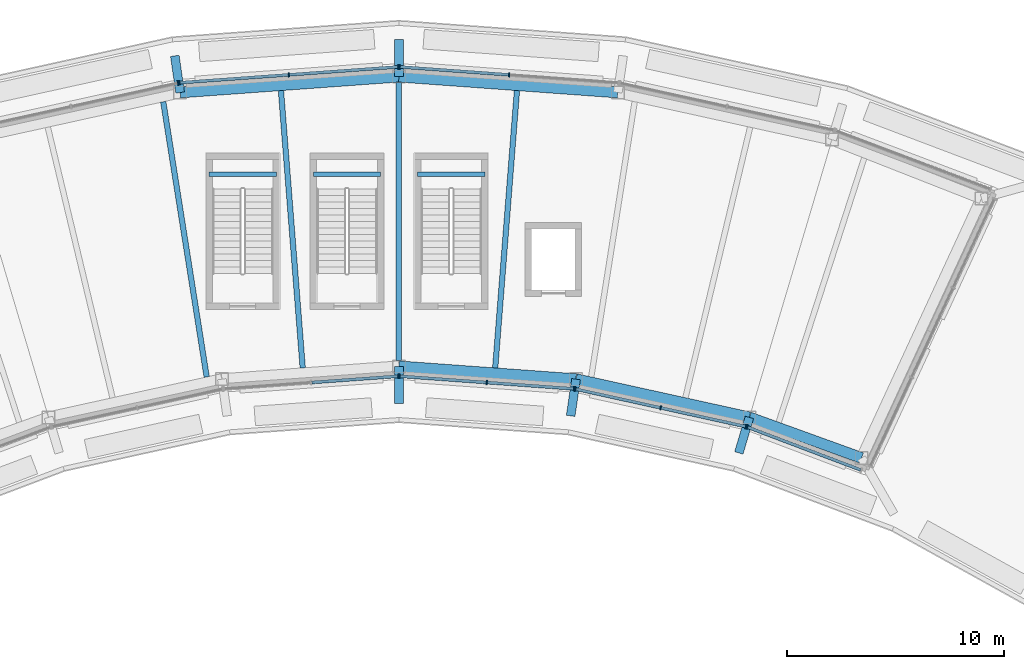
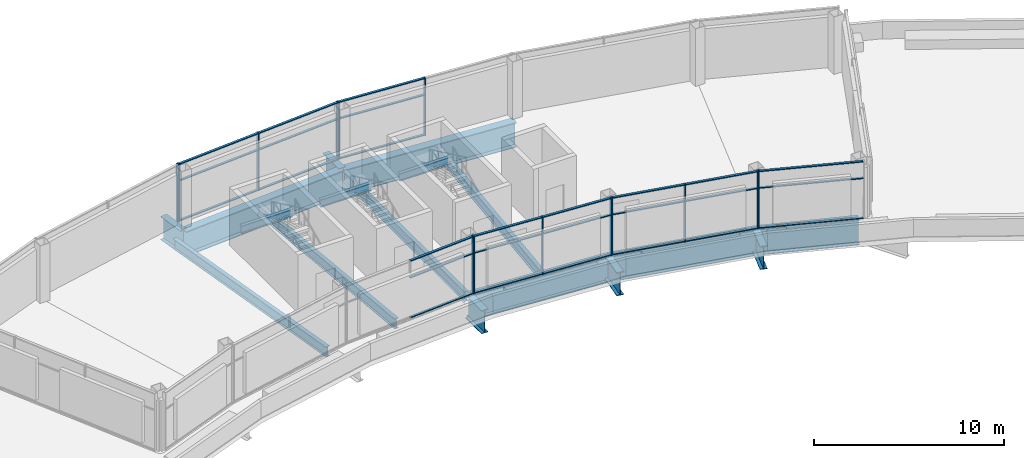
# One storey, part 3 of 9: 41 members, 17 beams, 7 elements without a shape of their own.
"""IFC4 building model written with IfcOpenShell, lengths in metres."""

import ifcopenshell
import ifcopenshell.guid

model = None  # the IFC model being written
_history = None  # IfcOwnerHistory: only IFC2X3 demands one
_inside = {}  # id of a spatial element -> (the spatial element, [elements in it])
_under = {}  # id of a project, library or spatial element -> (it, [spatial elements below it])
_declared = {}  # id of a project -> (the project, [libraries it declares])
_typed = {}  # id of a type object -> (the type object, [elements of that type])
_made_of = {}  # id of a material, layer set ... -> (it, [elements and type objects made of it])


def new_model(schema):
    """Start an empty IFC model of exactly this schema.

    Asked for "IFC4X3", IfcOpenShell would pick the latest addendum, in which some entities
    have other attributes; the version numbers below select the first issue.
    IFC2X3 requires an IfcOwnerHistory on every rooted entity: one is made here for all.
    """
    global model, _history
    if schema == "IFC4X3":
        model = ifcopenshell.file(schema_version=(4, 3, 0, 0))
    else:
        model = ifcopenshell.file(schema=schema)
    _inside.clear()
    _under.clear()
    _declared.clear()
    _typed.clear()
    _made_of.clear()
    _history = None
    if model.schema == "IFC2X3":
        org = make("IfcOrganization", Name="unknown")
        user = make(
            "IfcPersonAndOrganization",
            ThePerson=make("IfcPerson", FamilyName="unknown"),
            TheOrganization=org,
        )
        app = make(
            "IfcApplication",
            ApplicationDeveloper=org,
            Version="unknown",
            ApplicationFullName="unknown",
            ApplicationIdentifier="unknown",
        )
        _history = make(
            "IfcOwnerHistory",
            OwningUser=user,
            OwningApplication=app,
            ChangeAction="ADDED",
            CreationDate=0,
        )
    return model


def make(cls, **values):
    """One entity of the class cls with the attributes given. An attribute that is None is left unset."""
    return model.create_entity(
        cls, **{name: value for name, value in values.items() if value is not None}
    )


def rooted(cls, **values):
    """An entity with a GlobalId (a new one), such as an element, a storey or a relation."""
    return make(cls, GlobalId=ifcopenshell.guid.new(), OwnerHistory=_history, **values)


def si_unit(unit_type, name, prefix=None):
    """IfcSIUnit, for example si_unit("LENGTHUNIT", "METRE", prefix="MILLI")."""
    return make("IfcSIUnit", UnitType=unit_type, Prefix=prefix, Name=name)


def assignment(units):
    """IfcUnitAssignment: the units of a project."""
    return None if units is None else make("IfcUnitAssignment", Units=units)


def point(xyz):
    """IfcCartesianPoint."""
    return None if xyz is None else make("IfcCartesianPoint", Coordinates=xyz)


def direction(xyz):
    """IfcDirection."""
    return None if xyz is None else make("IfcDirection", DirectionRatios=xyz)


def frame(location, z_axis=None, x_axis=None):
    """IfcAxis2Placement3D, a coordinate frame: its origin and axes. An axis left out is left unset."""
    return make(
        "IfcAxis2Placement3D",
        Location=point(location),
        Axis=direction(z_axis),
        RefDirection=direction(x_axis),
    )


def frame_2d(location, x_axis=None):
    """IfcAxis2Placement2D, a coordinate frame in the plane: its origin and x axis."""
    return make(
        "IfcAxis2Placement2D", Location=point(location), RefDirection=direction(x_axis)
    )


def origin():
    """The frame at (0, 0, 0) with its axes left unset."""
    return frame((0.0, 0.0, 0.0))


def origin_2d():
    """The frame at (0, 0) in the plane with its x axis left unset."""
    return frame_2d((0.0, 0.0))


def place(relative_to, where):
    """IfcLocalPlacement: puts the frame where relative to a parent placement (None: the world)."""
    return make(
        "IfcLocalPlacement", PlacementRelTo=relative_to, RelativePlacement=where
    )


def context(
    kind, dimensions, precision=None, world=None, true_north=None, identifier=None
):
    """IfcGeometricRepresentationContext, for example the 3D "Model" context."""
    return make(
        "IfcGeometricRepresentationContext",
        ContextIdentifier=identifier,
        ContextType=kind,
        CoordinateSpaceDimension=dimensions,
        Precision=precision,
        WorldCoordinateSystem=world,
        TrueNorth=true_north,
    )


def subcontext(parent, identifier, kind, view, scale=None):
    """IfcGeometricRepresentationSubContext, for example "Body" below "Model"."""
    return make(
        "IfcGeometricRepresentationSubContext",
        ContextIdentifier=identifier,
        ContextType=kind,
        ParentContext=parent,
        TargetScale=scale,
        TargetView=view,
    )


def project(units=None, contexts=None):
    """IfcProject with its units and contexts."""
    return rooted(
        "IfcProject",
        Name="project",
        RepresentationContexts=contexts,
        UnitsInContext=assignment(units),
    )


def spatial(cls, under=None, at=None, **own):
    """A site, building, storey or space (cls), placed at a placement, below another one or the project."""
    s = rooted(cls, ObjectPlacement=at, **own)
    if under is not None:
        _under.setdefault(under.id(), (under, []))[1].append(s)
    return s


def profile(cls, at=None, kind="AREA", **sizes):
    """A parametric profile (cls). Its sizes go by their IFC names, for example OverallWidth=200.0."""
    return make(cls, ProfileType=kind, Position=at, **sizes)


def rectangle(**sizes):
    """IfcRectangleProfileDef."""
    return profile("IfcRectangleProfileDef", **sizes)


def i_section(**sizes):
    """IfcIShapeProfileDef."""
    return profile("IfcIShapeProfileDef", **sizes)


def extrude(swept, where, along, depth):
    """IfcExtrudedAreaSolid: the profile swept, set in the frame where, extruded along a direction by depth."""
    return make(
        "IfcExtrudedAreaSolid",
        SweptArea=swept,
        Position=where,
        ExtrudedDirection=direction(along),
        Depth=depth,
    )


def shape(context_of_items, identifier, shape_type, items):
    """IfcShapeRepresentation: the items that make up one representation, for example the "Body"."""
    return make(
        "IfcShapeRepresentation",
        ContextOfItems=context_of_items,
        RepresentationIdentifier=identifier,
        RepresentationType=shape_type,
        Items=items,
    )


def material(Name=None, Category=None):
    """IfcMaterial."""
    return make("IfcMaterial", Name=Name, Category=Category)


def layer(
    of_material, thickness, ventilated=None, Name=None, Category=None, Priority=None
):
    """IfcMaterialLayer: one layer of a wall or slab, of a material (None: an air gap)."""
    return make(
        "IfcMaterialLayer",
        Material=of_material,
        LayerThickness=thickness,
        IsVentilated=ventilated,
        Name=Name,
        Category=Category,
        Priority=Priority,
    )


def layer_set(layers, Name=None):
    """IfcMaterialLayerSet."""
    return make("IfcMaterialLayerSet", MaterialLayers=layers, LayerSetName=Name)


def material_profile(
    of_material, cross_section, Name=None, Category=None, Priority=None
):
    """IfcMaterialProfile: a cross section and its material."""
    return make(
        "IfcMaterialProfile",
        Name=Name,
        Material=of_material,
        Profile=cross_section,
        Priority=Priority,
        Category=Category,
    )


def profile_set(profiles, Name=None, composite=None):
    """IfcMaterialProfileSet."""
    return make(
        "IfcMaterialProfileSet",
        Name=Name,
        MaterialProfiles=profiles,
        CompositeProfile=composite,
    )


def made_of(thing, what):
    """Note that an element or type object is made of a material, layer set ...; save() writes the relation."""
    if what is not None:
        _made_of.setdefault(what.id(), (what, []))[1].append(thing)
    return thing


def type_object(cls, material=None, **own):
    """A type object (cls), such as IfcWallType, which elements share."""
    return made_of(rooted(cls, **own), material)


def element(
    cls,
    number,
    at=None,
    inside=None,
    cuts=None,
    type_object=None,
    material=None,
    context=None,
    identifier="Body",
    shape_type=None,
    held_by="IfcProductDefinitionShape",
    body=None,
    shapes=None,
    **own,
):
    """One element of the class cls, such as IfcWall. Its Tag is "e" and its number.

    at: its placement. inside: the storey or other place that contains it. cuts: it is an
    opening in that element (IfcRelVoidsElement). A single representation is given by context,
    identifier, shape_type and body (its items); several are given by shapes. held_by: the class
    of the entity that holds the representations. save() writes the other relations.
    """
    e = rooted(cls, Tag="e%d" % number, ObjectPlacement=at, **own)
    if body is not None:
        shapes = [shape(context, identifier, shape_type, body)]
    if shapes is not None:
        e.Representation = make(held_by, Representations=shapes)
    if inside is not None:
        _inside.setdefault(inside.id(), (inside, []))[1].append(e)
    if cuts is not None:
        rooted(
            "IfcRelVoidsElement", RelatingBuildingElement=cuts, RelatedOpeningElement=e
        )
    if type_object is not None:
        _typed.setdefault(type_object.id(), (type_object, []))[1].append(e)
    return made_of(e, material)


def aggregate(whole, parts):
    """IfcRelAggregates: a whole, such as a stair, and the parts it consists of."""
    return rooted("IfcRelAggregates", RelatingObject=whole, RelatedObjects=parts)


def save(model, path):
    """Write the relations noted so far, then the file.

    IfcRelAggregates (storeys below a building ...), IfcRelContainedInSpatialStructure (elements
    in a storey), IfcRelDefinesByType, IfcRelAssociatesMaterial and IfcRelDeclares: one each for
    every whole, place, type object, material and project.
    """
    for whole, parts in _under.values():
        aggregate(whole, parts)
    for where, things in _inside.values():
        rooted(
            "IfcRelContainedInSpatialStructure",
            RelatedElements=things,
            RelatingStructure=where,
        )
    for kind, things in _typed.values():
        rooted("IfcRelDefinesByType", RelatedObjects=things, RelatingType=kind)
    for what, things in _made_of.values():
        rooted("IfcRelAssociatesMaterial", RelatedObjects=things, RelatingMaterial=what)
    for by, libraries in _declared.values():
        rooted("IfcRelDeclares", RelatingContext=by, RelatedDefinitions=libraries)
    model.write(path)


model = new_model("IFC4")

# Units and contexts
model_context = context("Model", 3, precision=1e-05, world=origin(), true_north=direction((0.0, 1.0)))
body_context = subcontext(model_context, "Body", "Model", "MODEL_VIEW")
ifc_project = project(units=[si_unit("LENGTHUNIT", "METRE"), si_unit("AREAUNIT", "SQUARE_METRE"), si_unit("VOLUMEUNIT", "CUBIC_METRE"), si_unit("PLANEANGLEUNIT", "RADIAN"), si_unit("MASSUNIT", "GRAM", prefix="KILO")], contexts=[model_context])

# Site, building, storey
site_placement = place(None, origin())
site = spatial("IfcSite", under=ifc_project, at=site_placement, CompositionType="ELEMENT")
building_placement = place(site_placement, origin())
building = spatial("IfcBuilding", under=site, at=building_placement, Name="Tuul Gate Civic Tower", CompositionType="ELEMENT")
storey_placement = place(building_placement, frame((0.0, 0.0, 368.10009765625)))
storey = spatial("IfcBuildingStorey", under=building, at=storey_placement, Name="Crown tier 2 lower", CompositionType="ELEMENT", Elevation=368.10009765625)

# Curtain wall, members
ifc_material_1 = material(Name="Aluminium", Category="aluminium")
ifc_layer = layer(ifc_material_1, 0.199951171875)
ifc_layer_set = layer_set([ifc_layer], Name="Aluminium")
curtain_wall_type = type_object("IfcCurtainWallType", Name="Curtain wall CW5", PredefinedType="NOTDEFINED", material=ifc_layer_set)
curtain_wall_1_placement = place(storey_placement, origin())
curtain_wall_1 = element("IfcCurtainWall", 1, at=curtain_wall_1_placement, inside=storey, type_object=curtain_wall_type, Name="Curtain wall CW5", PredefinedType="NOTDEFINED")
ifc_material_2 = material(Name="Aluminium", Category="aluminium")
ifc_material_profile_1 = material_profile(ifc_material_2, rectangle(XDim=0.199951171875, YDim=0.06005859375, at=origin_2d()), Name="CW5 mullion")
ifc_profile_set_1 = profile_set([ifc_material_profile_1], Name="Aluminium")
member_type_1 = type_object("IfcMemberType", Name="CW5 mullion", PredefinedType="MULLION", material=ifc_profile_set_1)
member_1_placement = place(storey_placement, frame((7.260498046875, 9.90087890625, 0.0), z_axis=(0.0, 0.0, 1.0), x_axis=(-0.072218938697, -0.997388803273, 0.0)))
member_1 = element("IfcMember", 2, at=member_1_placement, type_object=member_type_1, Name="Mullion", PredefinedType="MULLION", context=body_context, shape_type="SweptSolid", body=[
    extrude(rectangle(XDim=0.199951171875, YDim=0.06005859375, at=origin_2d()), origin(), (0.0, 0.0, 1.0), 3.699951171875),
])
member_2_placement = place(storey_placement, frame((2.221923828125, 10.265869140625, 0.0), z_axis=(0.0, 0.0, 1.0), x_axis=(-0.072218938697, -0.997388803273, 0.0)))
member_2 = element("IfcMember", 3, at=member_2_placement, type_object=member_type_1, Name="Mullion", PredefinedType="MULLION", context=body_context, shape_type="SweptSolid", body=[
    extrude(rectangle(XDim=0.199951171875, YDim=0.06005859375, at=origin_2d()), origin(), (0.0, 0.0, 1.0), 3.699951171875),
])

curtain_wall_2_placement = place(storey_placement, origin())
curtain_wall_2 = element("IfcCurtainWall", 4, at=curtain_wall_2_placement, inside=storey, type_object=curtain_wall_type, Name="Curtain wall CW5", PredefinedType="NOTDEFINED")
member_3_placement = place(storey_placement, frame((2.162109375, 10.265869140625, 0.0), z_axis=(0.0, 0.0, 1.0), x_axis=(0.072218938697, -0.997388803273, 0.0)))
member_3 = element("IfcMember", 5, at=member_3_placement, type_object=member_type_1, Name="Mullion", PredefinedType="MULLION", context=body_context, shape_type="SweptSolid", body=[
    extrude(rectangle(XDim=0.199951171875, YDim=0.06005859375, at=origin_2d()), origin(), (0.0, 0.0, 1.0), 3.699951171875),
])
member_4_placement = place(storey_placement, frame((-2.87646484375, 9.90087890625, 0.0), z_axis=(0.0, 0.0, 1.0), x_axis=(0.072218938697, -0.997388803273, 0.0)))
member_4 = element("IfcMember", 6, at=member_4_placement, type_object=member_type_1, Name="Mullion", PredefinedType="MULLION", context=body_context, shape_type="SweptSolid", body=[
    extrude(rectangle(XDim=0.199951171875, YDim=0.06005859375, at=origin_2d()), origin(), (0.0, 0.0, 1.0), 3.699951171875),
])
member_5_placement = place(storey_placement, frame((-7.9150390625, 9.5361328125, 0.0), z_axis=(0.0, 0.0, 1.0), x_axis=(0.072218938697, -0.997388803273, 0.0)))
member_5 = element("IfcMember", 7, at=member_5_placement, type_object=member_type_1, Name="Mullion", PredefinedType="MULLION", context=body_context, shape_type="SweptSolid", body=[
    extrude(rectangle(XDim=0.199951171875, YDim=0.06005859375, at=origin_2d()), origin(), (0.0, 0.0, 1.0), 3.699951171875),
])

# Curtain wall, member
curtain_wall_3_placement = place(storey_placement, origin())
curtain_wall_3 = element("IfcCurtainWall", 8, at=curtain_wall_3_placement, inside=storey, type_object=curtain_wall_type, Name="Curtain wall CW5", PredefinedType="NOTDEFINED")
member_6_placement = place(storey_placement, frame((-7.974365234375, 9.527587890625, 0.0), z_axis=(0.0, 0.0, 1.0), x_axis=(0.215210934562, -0.976567587853, 0.0)))
member_6 = element("IfcMember", 9, at=member_6_placement, type_object=member_type_1, Name="Mullion", PredefinedType="MULLION", context=body_context, shape_type="SweptSolid", body=[
    extrude(rectangle(XDim=0.199951171875, YDim=0.06005859375, at=origin_2d()), origin(), (0.0, 0.0, 1.0), 3.699951171875),
])
aggregate(curtain_wall_3, [member_6])

curtain_wall_4_placement = place(storey_placement, origin())
curtain_wall_4 = element("IfcCurtainWall", 10, at=curtain_wall_4_placement, inside=storey, type_object=curtain_wall_type, Name="Curtain wall CW5", PredefinedType="NOTDEFINED")
member_7_placement = place(storey_placement, frame((2.162109375, -3.97119140625, 0.0), z_axis=(0.0, 0.0, 1.0), x_axis=(-0.072167548057, 0.997392523036, 0.0)))
member_7 = element("IfcMember", 11, at=member_7_placement, type_object=member_type_1, Name="Mullion", PredefinedType="MULLION", context=body_context, shape_type="SweptSolid", body=[
    extrude(rectangle(XDim=0.199951171875, YDim=0.06005859375, at=origin_2d()), origin(), (0.0, 0.0, 1.0), 3.699951171875),
])

# Curtain wall, members
curtain_wall_5_placement = place(storey_placement, origin())
curtain_wall_5 = element("IfcCurtainWall", 12, at=curtain_wall_5_placement, inside=storey, type_object=curtain_wall_type, Name="Curtain wall CW5", PredefinedType="NOTDEFINED")
member_8_placement = place(storey_placement, frame((2.221923828125, -3.97119140625, 0.0), z_axis=(0.0, 0.0, 1.0), x_axis=(0.072167548057, 0.997392523036, 0.0)))
member_8 = element("IfcMember", 13, at=member_8_placement, type_object=member_type_1, Name="Mullion", PredefinedType="MULLION", context=body_context, shape_type="SweptSolid", body=[
    extrude(rectangle(XDim=0.199951171875, YDim=0.06005859375, at=origin_2d()), origin(), (0.0, 0.0, 1.0), 3.699951171875),
])
member_9_placement = place(storey_placement, frame((6.234619140625, -4.261474609375, 0.0), z_axis=(0.0, 0.0, 1.0), x_axis=(0.072167548057, 0.997392523036, 0.0)))
member_9 = element("IfcMember", 14, at=member_9_placement, type_object=member_type_1, Name="Mullion", PredefinedType="MULLION", context=body_context, shape_type="SweptSolid", body=[
    extrude(rectangle(XDim=0.199951171875, YDim=0.06005859375, at=origin_2d()), origin(), (0.0, 0.0, 1.0), 3.699951171875),
])
member_10_placement = place(storey_placement, frame((10.2470703125, -4.5517578125, 0.0), z_axis=(0.0, 0.0, 1.0), x_axis=(0.072167548057, 0.997392523036, 0.0)))
member_10 = element("IfcMember", 15, at=member_10_placement, type_object=member_type_1, Name="Mullion", PredefinedType="MULLION", context=body_context, shape_type="SweptSolid", body=[
    extrude(rectangle(XDim=0.199951171875, YDim=0.06005859375, at=origin_2d()), origin(), (0.0, 0.0, 1.0), 3.699951171875),
])

curtain_wall_6_placement = place(storey_placement, origin())
curtain_wall_6 = element("IfcCurtainWall", 16, at=curtain_wall_6_placement, inside=storey, type_object=curtain_wall_type, Name="Curtain wall CW5", PredefinedType="NOTDEFINED")
member_11_placement = place(storey_placement, frame((10.306396484375, -4.560546875, 0.0), z_axis=(0.0, 0.0, 1.0), x_axis=(0.215271253351, 0.976554293156, 0.0)))
member_11 = element("IfcMember", 17, at=member_11_placement, type_object=member_type_1, Name="Mullion", PredefinedType="MULLION", context=body_context, shape_type="SweptSolid", body=[
    extrude(rectangle(XDim=0.199951171875, YDim=0.06005859375, at=origin_2d()), origin(), (0.0, 0.0, 1.0), 3.699951171875),
])
member_12_placement = place(storey_placement, frame((14.235107421875, -5.426513671875, 0.0), z_axis=(0.0, 0.0, 1.0), x_axis=(0.215271253351, 0.976554293156, 0.0)))
member_12 = element("IfcMember", 18, at=member_12_placement, type_object=member_type_1, Name="Mullion", PredefinedType="MULLION", context=body_context, shape_type="SweptSolid", body=[
    extrude(rectangle(XDim=0.199951171875, YDim=0.06005859375, at=origin_2d()), origin(), (0.0, 0.0, 1.0), 3.699951171875),
])
member_13_placement = place(storey_placement, frame((18.163818359375, -6.29248046875, 0.0), z_axis=(0.0, 0.0, 1.0), x_axis=(0.215271253351, 0.976554293156, 0.0)))
member_13 = element("IfcMember", 19, at=member_13_placement, type_object=member_type_1, Name="Mullion", PredefinedType="MULLION", context=body_context, shape_type="SweptSolid", body=[
    extrude(rectangle(XDim=0.199951171875, YDim=0.06005859375, at=origin_2d()), origin(), (0.0, 0.0, 1.0), 3.699951171875),
])

# Curtain wall, member
curtain_wall_7_placement = place(storey_placement, origin())
curtain_wall_7 = element("IfcCurtainWall", 20, at=curtain_wall_7_placement, inside=storey, type_object=curtain_wall_type, Name="Curtain wall CW5", PredefinedType="NOTDEFINED")
member_14_placement = place(storey_placement, frame((18.220947265625, -6.3095703125, 0.0), z_axis=(0.0, 0.0, 1.0), x_axis=(0.353692000454, 0.935361945353, 0.0)))
member_14 = element("IfcMember", 21, at=member_14_placement, type_object=member_type_1, Name="Mullion", PredefinedType="MULLION", context=body_context, shape_type="SweptSolid", body=[
    extrude(rectangle(XDim=0.199951171875, YDim=0.06005859375, at=origin_2d()), origin(), (0.0, 0.0, 1.0), 3.699951171875),
])

# Member
ifc_material_3 = material(Name="Aluminium", Category="aluminium")
ifc_material_profile_2 = material_profile(ifc_material_3, rectangle(XDim=0.139892578125, YDim=0.06005859375, at=origin_2d()), Name="CW5 transom")
ifc_profile_set_2 = profile_set([ifc_material_profile_2], Name="Aluminium")
member_type_2 = type_object("IfcMemberType", Name="CW5 transom", PredefinedType="USERDEFINED", material=ifc_profile_set_2)
member_15_placement = place(storey_placement, frame((7.23046875, 9.903076171875, 0.02978515625), z_axis=(-0.997387197024, 0.072241118576, 0.0), x_axis=(-0.072241118576, -0.997387197024, 0.0)))
member_15 = element("IfcMember", 22, at=member_15_placement, type_object=member_type_2, Name="Transom", ObjectType="TRANSOM", PredefinedType="USERDEFINED", context=body_context, shape_type="SweptSolid", body=[
    extrude(rectangle(XDim=0.139892578125, YDim=0.06005859375, at=origin_2d()), origin(), (0.0, 0.0, 1.0), 4.991455078125),
])

member_16_placement = place(storey_placement, frame((7.23046875, 9.903076171875, 2.599853515625), z_axis=(-0.997387197024, 0.072241118576, 0.0), x_axis=(-0.072241118576, -0.997387197024, 0.0)))
member_16 = element("IfcMember", 23, at=member_16_placement, type_object=member_type_2, Name="Transom", ObjectType="TRANSOM", PredefinedType="USERDEFINED", context=body_context, shape_type="SweptSolid", body=[
    extrude(rectangle(XDim=0.139892578125, YDim=0.06005859375, at=origin_2d()), origin(), (0.0, 0.0, 1.0), 4.991455078125),
])

member_17_placement = place(storey_placement, frame((7.23046875, 9.903076171875, 3.669921875), z_axis=(-0.997387197024, 0.072241118576, 0.0), x_axis=(-0.072241118576, -0.997387197024, 0.0)))
member_17 = element("IfcMember", 24, at=member_17_placement, type_object=member_type_2, Name="Transom", ObjectType="TRANSOM", PredefinedType="USERDEFINED", context=body_context, shape_type="SweptSolid", body=[
    extrude(rectangle(XDim=0.139892578125, YDim=0.06005859375, at=origin_2d()), origin(), (0.0, 0.0, 1.0), 4.991455078125),
])

aggregate(curtain_wall_1, [member_1, member_2, member_15, member_16, member_17])

member_18_placement = place(storey_placement, frame((2.132080078125, 10.263671875, 0.02978515625), z_axis=(-0.997387452259, -0.072237594615, 0.0), x_axis=(0.072237594615, -0.997387452259, 0.0)))
member_18 = element("IfcMember", 25, at=member_18_placement, type_object=member_type_2, Name="Transom", ObjectType="TRANSOM", PredefinedType="USERDEFINED", context=body_context, shape_type="SweptSolid", body=[
    extrude(rectangle(XDim=0.139892578125, YDim=0.06005859375, at=origin_2d()), origin(), (0.0, 0.0, 1.0), 4.99169921875),
])

member_19_placement = place(storey_placement, frame((2.132080078125, 10.263671875, 2.599853515625), z_axis=(-0.997387452259, -0.072237594615, 0.0), x_axis=(0.072237594615, -0.997387452259, 0.0)))
member_19 = element("IfcMember", 26, at=member_19_placement, type_object=member_type_2, Name="Transom", ObjectType="TRANSOM", PredefinedType="USERDEFINED", context=body_context, shape_type="SweptSolid", body=[
    extrude(rectangle(XDim=0.139892578125, YDim=0.06005859375, at=origin_2d()), origin(), (0.0, 0.0, 1.0), 4.99169921875),
])

member_20_placement = place(storey_placement, frame((2.132080078125, 10.263671875, 3.669921875), z_axis=(-0.997387452259, -0.072237594615, 0.0), x_axis=(0.072237594615, -0.997387452259, 0.0)))
member_20 = element("IfcMember", 27, at=member_20_placement, type_object=member_type_2, Name="Transom", ObjectType="TRANSOM", PredefinedType="USERDEFINED", context=body_context, shape_type="SweptSolid", body=[
    extrude(rectangle(XDim=0.139892578125, YDim=0.06005859375, at=origin_2d()), origin(), (0.0, 0.0, 1.0), 4.99169921875),
])

member_21_placement = place(storey_placement, frame((-2.906494140625, 9.89892578125, 0.02978515625), z_axis=(-0.997387452259, -0.072237594615, 0.0), x_axis=(0.072237594615, -0.997387452259, 0.0)))
member_21 = element("IfcMember", 28, at=member_21_placement, type_object=member_type_2, Name="Transom", ObjectType="TRANSOM", PredefinedType="USERDEFINED", context=body_context, shape_type="SweptSolid", body=[
    extrude(rectangle(XDim=0.139892578125, YDim=0.06005859375, at=origin_2d()), origin(), (0.0, 0.0, 1.0), 4.99169921875),
])

member_22_placement = place(storey_placement, frame((-2.906494140625, 9.89892578125, 2.599853515625), z_axis=(-0.997387452259, -0.072237594615, 0.0), x_axis=(0.072237594615, -0.997387452259, 0.0)))
member_22 = element("IfcMember", 29, at=member_22_placement, type_object=member_type_2, Name="Transom", ObjectType="TRANSOM", PredefinedType="USERDEFINED", context=body_context, shape_type="SweptSolid", body=[
    extrude(rectangle(XDim=0.139892578125, YDim=0.06005859375, at=origin_2d()), origin(), (0.0, 0.0, 1.0), 4.99169921875),
])

member_23_placement = place(storey_placement, frame((-2.906494140625, 9.89892578125, 3.669921875), z_axis=(-0.997387452259, -0.072237594615, 0.0), x_axis=(0.072237594615, -0.997387452259, 0.0)))
member_23 = element("IfcMember", 30, at=member_23_placement, type_object=member_type_2, Name="Transom", ObjectType="TRANSOM", PredefinedType="USERDEFINED", context=body_context, shape_type="SweptSolid", body=[
    extrude(rectangle(XDim=0.139892578125, YDim=0.06005859375, at=origin_2d()), origin(), (0.0, 0.0, 1.0), 4.99169921875),
])

aggregate(curtain_wall_2, [member_3, member_4, member_5, member_18, member_19, member_20, member_21, member_22, member_23])

member_24_placement = place(storey_placement, frame((-1.820556640625, -4.25927734375, 0.02978515625), z_axis=(0.997394505357, 0.072140146126, 0.0), x_axis=(-0.072140146126, 0.997394505357, 0.0)))
member_24 = element("IfcMember", 31, at=member_24_placement, type_object=member_type_2, Name="Transom", ObjectType="TRANSOM", PredefinedType="USERDEFINED", context=body_context, shape_type="SweptSolid", body=[
    extrude(rectangle(XDim=0.139892578125, YDim=0.06005859375, at=origin_2d()), origin(), (0.0, 0.0, 1.0), 3.962890625),
])

member_25_placement = place(storey_placement, frame((-1.820556640625, -4.25927734375, 2.599853515625), z_axis=(0.997394505357, 0.072140146126, 0.0), x_axis=(-0.072140146126, 0.997394505357, 0.0)))
member_25 = element("IfcMember", 32, at=member_25_placement, type_object=member_type_2, Name="Transom", ObjectType="TRANSOM", PredefinedType="USERDEFINED", context=body_context, shape_type="SweptSolid", body=[
    extrude(rectangle(XDim=0.139892578125, YDim=0.06005859375, at=origin_2d()), origin(), (0.0, 0.0, 1.0), 3.962890625),
])

member_26_placement = place(storey_placement, frame((-1.820556640625, -4.25927734375, 3.669921875), z_axis=(0.997394505357, 0.072140146126, 0.0), x_axis=(-0.072140146126, 0.997394505357, 0.0)))
member_26 = element("IfcMember", 33, at=member_26_placement, type_object=member_type_2, Name="Transom", ObjectType="TRANSOM", PredefinedType="USERDEFINED", context=body_context, shape_type="SweptSolid", body=[
    extrude(rectangle(XDim=0.139892578125, YDim=0.06005859375, at=origin_2d()), origin(), (0.0, 0.0, 1.0), 3.962890625),
])

aggregate(curtain_wall_4, [member_7, member_24, member_25, member_26])

member_27_placement = place(storey_placement, frame((2.251953125, -3.973388671875, 0.02978515625), z_axis=(0.997394505357, -0.072140146126, 0.0), x_axis=(0.072140146126, 0.997394505357, 0.0)))
member_27 = element("IfcMember", 34, at=member_27_placement, type_object=member_type_2, Name="Transom", ObjectType="TRANSOM", PredefinedType="USERDEFINED", context=body_context, shape_type="SweptSolid", body=[
    extrude(rectangle(XDim=0.139892578125, YDim=0.06005859375, at=origin_2d()), origin(), (0.0, 0.0, 1.0), 3.962890625),
])

member_28_placement = place(storey_placement, frame((2.251953125, -3.973388671875, 2.599853515625), z_axis=(0.997394505357, -0.072140146126, 0.0), x_axis=(0.072140146126, 0.997394505357, 0.0)))
member_28 = element("IfcMember", 35, at=member_28_placement, type_object=member_type_2, Name="Transom", ObjectType="TRANSOM", PredefinedType="USERDEFINED", context=body_context, shape_type="SweptSolid", body=[
    extrude(rectangle(XDim=0.139892578125, YDim=0.06005859375, at=origin_2d()), origin(), (0.0, 0.0, 1.0), 3.962890625),
])

member_29_placement = place(storey_placement, frame((2.251953125, -3.973388671875, 3.669921875), z_axis=(0.997394505357, -0.072140146126, 0.0), x_axis=(0.072140146126, 0.997394505357, 0.0)))
member_29 = element("IfcMember", 36, at=member_29_placement, type_object=member_type_2, Name="Transom", ObjectType="TRANSOM", PredefinedType="USERDEFINED", context=body_context, shape_type="SweptSolid", body=[
    extrude(rectangle(XDim=0.139892578125, YDim=0.06005859375, at=origin_2d()), origin(), (0.0, 0.0, 1.0), 3.962890625),
])

member_30_placement = place(storey_placement, frame((6.264404296875, -4.263671875, 0.02978515625), z_axis=(0.997394505357, -0.072140146126, 0.0), x_axis=(0.072140146126, 0.997394505357, 0.0)))
member_30 = element("IfcMember", 37, at=member_30_placement, type_object=member_type_2, Name="Transom", ObjectType="TRANSOM", PredefinedType="USERDEFINED", context=body_context, shape_type="SweptSolid", body=[
    extrude(rectangle(XDim=0.139892578125, YDim=0.06005859375, at=origin_2d()), origin(), (0.0, 0.0, 1.0), 3.962890625),
])

member_31_placement = place(storey_placement, frame((6.264404296875, -4.263671875, 2.599853515625), z_axis=(0.997394505357, -0.072140146126, 0.0), x_axis=(0.072140146126, 0.997394505357, 0.0)))
member_31 = element("IfcMember", 38, at=member_31_placement, type_object=member_type_2, Name="Transom", ObjectType="TRANSOM", PredefinedType="USERDEFINED", context=body_context, shape_type="SweptSolid", body=[
    extrude(rectangle(XDim=0.139892578125, YDim=0.06005859375, at=origin_2d()), origin(), (0.0, 0.0, 1.0), 3.962890625),
])

member_32_placement = place(storey_placement, frame((6.264404296875, -4.263671875, 3.669921875), z_axis=(0.997394505357, -0.072140146126, 0.0), x_axis=(0.072140146126, 0.997394505357, 0.0)))
member_32 = element("IfcMember", 39, at=member_32_placement, type_object=member_type_2, Name="Transom", ObjectType="TRANSOM", PredefinedType="USERDEFINED", context=body_context, shape_type="SweptSolid", body=[
    extrude(rectangle(XDim=0.139892578125, YDim=0.06005859375, at=origin_2d()), origin(), (0.0, 0.0, 1.0), 3.962890625),
])

aggregate(curtain_wall_5, [member_8, member_9, member_10, member_27, member_28, member_29, member_30, member_31, member_32])

member_33_placement = place(storey_placement, frame((10.335693359375, -4.56689453125, 0.02978515625), z_axis=(0.976559587053, -0.215247236763, 0.0), x_axis=(0.215247236763, 0.976559587053, 0.0)))
member_33 = element("IfcMember", 40, at=member_33_placement, type_object=member_type_2, Name="Transom", ObjectType="TRANSOM", PredefinedType="USERDEFINED", context=body_context, shape_type="SweptSolid", body=[
    extrude(rectangle(XDim=0.139892578125, YDim=0.06005859375, at=origin_2d()), origin(), (0.0, 0.0, 1.0), 3.962890625),
])

member_34_placement = place(storey_placement, frame((10.335693359375, -4.56689453125, 2.599853515625), z_axis=(0.976559587053, -0.215247236763, 0.0), x_axis=(0.215247236763, 0.976559587053, 0.0)))
member_34 = element("IfcMember", 41, at=member_34_placement, type_object=member_type_2, Name="Transom", ObjectType="TRANSOM", PredefinedType="USERDEFINED", context=body_context, shape_type="SweptSolid", body=[
    extrude(rectangle(XDim=0.139892578125, YDim=0.06005859375, at=origin_2d()), origin(), (0.0, 0.0, 1.0), 3.962890625),
])

member_35_placement = place(storey_placement, frame((10.335693359375, -4.56689453125, 3.669921875), z_axis=(0.976559587053, -0.215247236763, 0.0), x_axis=(0.215247236763, 0.976559587053, 0.0)))
member_35 = element("IfcMember", 42, at=member_35_placement, type_object=member_type_2, Name="Transom", ObjectType="TRANSOM", PredefinedType="USERDEFINED", context=body_context, shape_type="SweptSolid", body=[
    extrude(rectangle(XDim=0.139892578125, YDim=0.06005859375, at=origin_2d()), origin(), (0.0, 0.0, 1.0), 3.962890625),
])

member_36_placement = place(storey_placement, frame((14.264404296875, -5.432861328125, 0.02978515625), z_axis=(0.976546636017, -0.215305986177, 0.0), x_axis=(0.215305986177, 0.976546636017, 0.0)))
member_36 = element("IfcMember", 43, at=member_36_placement, type_object=member_type_2, Name="Transom", ObjectType="TRANSOM", PredefinedType="USERDEFINED", context=body_context, shape_type="SweptSolid", body=[
    extrude(rectangle(XDim=0.139892578125, YDim=0.06005859375, at=origin_2d()), origin(), (0.0, 0.0, 1.0), 3.963134765625),
])

member_37_placement = place(storey_placement, frame((14.264404296875, -5.432861328125, 2.599853515625), z_axis=(0.976546636017, -0.215305986177, 0.0), x_axis=(0.215305986177, 0.976546636017, 0.0)))
member_37 = element("IfcMember", 44, at=member_37_placement, type_object=member_type_2, Name="Transom", ObjectType="TRANSOM", PredefinedType="USERDEFINED", context=body_context, shape_type="SweptSolid", body=[
    extrude(rectangle(XDim=0.139892578125, YDim=0.06005859375, at=origin_2d()), origin(), (0.0, 0.0, 1.0), 3.963134765625),
])

member_38_placement = place(storey_placement, frame((14.264404296875, -5.432861328125, 3.669921875), z_axis=(0.976546636017, -0.215305986177, 0.0), x_axis=(0.215305986177, 0.976546636017, 0.0)))
member_38 = element("IfcMember", 45, at=member_38_placement, type_object=member_type_2, Name="Transom", ObjectType="TRANSOM", PredefinedType="USERDEFINED", context=body_context, shape_type="SweptSolid", body=[
    extrude(rectangle(XDim=0.139892578125, YDim=0.06005859375, at=origin_2d()), origin(), (0.0, 0.0, 1.0), 3.963134765625),
])

aggregate(curtain_wall_6, [member_11, member_12, member_13, member_33, member_34, member_35, member_36, member_37, member_38])

member_39_placement = place(storey_placement, frame((18.2490234375, -6.3203125, 0.02978515625), z_axis=(0.935375135863, -0.353657115309, 0.0), x_axis=(0.353657115309, 0.935375135863, 0.0)))
member_39 = element("IfcMember", 46, at=member_39_placement, type_object=member_type_2, Name="Transom", ObjectType="TRANSOM", PredefinedType="USERDEFINED", context=body_context, shape_type="SweptSolid", body=[
    extrude(rectangle(XDim=0.139892578125, YDim=0.06005859375, at=origin_2d()), origin(), (0.0, 0.0, 1.0), 5.5517578125),
])

member_40_placement = place(storey_placement, frame((18.2490234375, -6.3203125, 2.599853515625), z_axis=(0.935375135863, -0.353657115309, 0.0), x_axis=(0.353657115309, 0.935375135863, 0.0)))
member_40 = element("IfcMember", 47, at=member_40_placement, type_object=member_type_2, Name="Transom", ObjectType="TRANSOM", PredefinedType="USERDEFINED", context=body_context, shape_type="SweptSolid", body=[
    extrude(rectangle(XDim=0.139892578125, YDim=0.06005859375, at=origin_2d()), origin(), (0.0, 0.0, 1.0), 5.5517578125),
])

member_41_placement = place(storey_placement, frame((18.2490234375, -6.3203125, 3.669921875), z_axis=(0.935375135863, -0.353657115309, 0.0), x_axis=(0.353657115309, 0.935375135863, 0.0)))
member_41 = element("IfcMember", 48, at=member_41_placement, type_object=member_type_2, Name="Transom", ObjectType="TRANSOM", PredefinedType="USERDEFINED", context=body_context, shape_type="SweptSolid", body=[
    extrude(rectangle(XDim=0.139892578125, YDim=0.06005859375, at=origin_2d()), origin(), (0.0, 0.0, 1.0), 5.5517578125),
])

aggregate(curtain_wall_7, [member_14, member_39, member_40, member_41])

# Beams
ifc_material_4 = material(Name="Steel S355", Category="steel")
ifc_material_profile_3 = material_profile(ifc_material_4, i_section(OverallWidth=0.39990234375, OverallDepth=1.5, WebThickness=0.02490234375, FlangeThickness=0.0400390625, at=origin_2d()), Name="PG1500x400x25x40")
ifc_profile_set_3 = profile_set([ifc_material_profile_3], Name="Steel S355")
beam_type_1 = type_object("IfcBeamType", Name="STR-FLOOR BEAM-PG1500x400x25x40", PredefinedType="BEAM", material=ifc_profile_set_3)
for number, where, z_axis, x_axis, name in (
    (49, (2.19189453125, 11.52197265625, -1.050048828125), (0.0, -1.0, 0.0), (1.0, 0.0, 0.0), "Ring girder stub"),
    (50, (-8.125, 10.775146484375, -1.050048828125), (0.143766472049, -0.989611641764, 0.0), (0.989611641764, 0.143766472049, 0.0), "Ring girder stub"),
):
    element("IfcBeam", number, at=place(storey_placement, frame(where, z_axis=z_axis, x_axis=x_axis)), inside=storey, type_object=beam_type_1, Name=name, PredefinedType="BEAM", context=body_context, shape_type="SweptSolid", body=[
        extrude(i_section(OverallWidth=0.39990234375, OverallDepth=1.5, WebThickness=0.02490234375, FlangeThickness=0.0400390625, at=origin_2d()), origin(), (0.0, 0.0, 1.0), 1.705078125),
    ])
beam_1_placement = place(storey_placement, frame((2.19189453125, -5.222900390625, -1.050048828125), z_axis=(0.0, 1.0, 0.0), x_axis=(-1.0, 0.0, 0.0)))
element("IfcBeam", 51, at=beam_1_placement, inside=storey, type_object=beam_type_1, Name="Ring girder stub", PredefinedType="BEAM", context=body_context, shape_type="SweptSolid", body=[
    extrude(i_section(OverallWidth=0.39990234375, OverallDepth=1.5, WebThickness=0.02490234375, FlangeThickness=0.0400390625, at=origin_2d()), origin(), (0.0, 0.0, 1.0), 1.704833984375),
])
beam_2_placement = place(storey_placement, frame((10.09619140625, -5.795166015625, -1.050048828125), z_axis=(0.144187135208, 0.989550438351, 0.0), x_axis=(-0.989550438351, 0.144187135208, 0.0)))
element("IfcBeam", 52, at=beam_2_placement, inside=storey, type_object=beam_type_1, Name="Ring girder stub", PredefinedType="BEAM", context=body_context, shape_type="SweptSolid", body=[
    extrude(i_section(OverallWidth=0.39990234375, OverallDepth=1.5, WebThickness=0.02490234375, FlangeThickness=0.0400390625, at=origin_2d()), origin(), (0.0, 0.0, 1.0), 1.705078125),
])
beam_3_placement = place(storey_placement, frame((17.835693359375, -7.50048828125, -1.050048828125), z_axis=(0.28533661807, 0.958427365213, 0.0), x_axis=(-0.958427365213, 0.28533661807, 0.0)))
element("IfcBeam", 53, at=beam_3_placement, inside=storey, type_object=beam_type_1, Name="Ring girder stub", PredefinedType="BEAM", context=body_context, shape_type="SweptSolid", body=[
    extrude(i_section(OverallWidth=0.39990234375, OverallDepth=1.5, WebThickness=0.02490234375, FlangeThickness=0.0400390625, at=origin_2d()), origin(), (0.0, 0.0, 1.0), 1.704345703125),
])
ifc_material_5 = material(Name="Steel S355", Category="steel")
ifc_material_profile_4 = material_profile(ifc_material_5, i_section(OverallWidth=0.199951171875, OverallDepth=0.5, WebThickness=0.010009765625, FlangeThickness=0.01611328125, at=origin_2d()), Name="PG500x200x10x16")
ifc_profile_set_4 = profile_set([ifc_material_profile_4], Name="Steel S355")
beam_type_2 = type_object("IfcBeamType", Name="STR-FLOOR BEAM-PG500x200x10x16", PredefinedType="BEAM", material=ifc_profile_set_4)
for number, where, z_axis, x_axis, name in (
    (54, (-6.550048828125, 5.324951171875, 1.5498046875), (1.0, 0.0, 0.0), (0.0, 1.0, 0.0), "Landing support beam"),
    (55, (-1.75, 5.324951171875, 1.5498046875), (1.0, 0.0, 0.0), (0.0, 1.0, 0.0), "Landing support beam"),
):
    element("IfcBeam", number, at=place(storey_placement, frame(where, z_axis=z_axis, x_axis=x_axis)), inside=storey, type_object=beam_type_2, Name=name, PredefinedType="BEAM", context=body_context, shape_type="SweptSolid", body=[
        extrude(i_section(OverallWidth=0.199951171875, OverallDepth=0.5, WebThickness=0.010009765625, FlangeThickness=0.01611328125, at=origin_2d()), origin(), (0.0, 0.0, 1.0), 3.10009765625),
    ])
beam_4_placement = place(storey_placement, frame((3.050048828125, 5.324951171875, 1.5498046875), z_axis=(1.0, 0.0, 0.0), x_axis=(0.0, 1.0, 0.0)))
element("IfcBeam", 56, at=beam_4_placement, inside=storey, type_object=beam_type_2, Name="Landing support beam", PredefinedType="BEAM", context=body_context, shape_type="SweptSolid", body=[
    extrude(i_section(OverallWidth=0.199951171875, OverallDepth=0.5, WebThickness=0.010009765625, FlangeThickness=0.01611328125, at=origin_2d()), origin(), (0.0, 0.0, 1.0), 3.099853515625),
])
ifc_material_6 = material(Name="Steel S355", Category="steel")
ifc_material_profile_5 = material_profile(ifc_material_6, i_section(OverallWidth=0.25, OverallDepth=0.64990234375, WebThickness=0.011962890625, FlangeThickness=0.02001953125, at=origin_2d()), Name="PG650x250x12x20")
ifc_profile_set_5 = profile_set([ifc_material_profile_5], Name="Steel S355")
beam_type_3 = type_object("IfcBeamType", Name="STR-FLOOR BEAM-PG650x250x12x20", PredefinedType="BEAM", material=ifc_profile_set_5)
beam_5_placement = place(storey_placement, frame((6.622314453125, -3.588134765625, -0.625), z_axis=(0.07819719226, 0.996937911368, 0.0), x_axis=(-0.996937911368, 0.07819719226, 0.0)))
element("IfcBeam", 57, at=beam_5_placement, inside=storey, type_object=beam_type_3, Name="Floor beam", PredefinedType="BEAM", context=body_context, shape_type="SweptSolid", body=[
    extrude(i_section(OverallWidth=0.25, OverallDepth=0.64990234375, WebThickness=0.011962890625, FlangeThickness=0.02001953125, at=origin_2d()), origin(), (0.0, 0.0, 1.0), 12.80078125),
])
beam_6_placement = place(storey_placement, frame((2.19189453125, -3.267333984375, -0.625), z_axis=(0.0, 1.0, 0.0), x_axis=(-1.0, 0.0, 0.0)))
element("IfcBeam", 58, at=beam_6_placement, inside=storey, type_object=beam_type_3, Name="Floor beam", PredefinedType="BEAM", context=body_context, shape_type="SweptSolid", body=[
    extrude(i_section(OverallWidth=0.25, OverallDepth=0.64990234375, WebThickness=0.011962890625, FlangeThickness=0.02001953125, at=origin_2d()), origin(), (0.0, 0.0, 1.0), 12.833740234375),
])
beam_7_placement = place(storey_placement, frame((-2.23828125, -3.588134765625, -0.625), z_axis=(-0.07819719226, 0.996937911368, 0.0), x_axis=(-0.996937911368, -0.07819719226, 0.0)))
element("IfcBeam", 59, at=beam_7_placement, inside=storey, type_object=beam_type_3, Name="Floor beam", PredefinedType="BEAM", context=body_context, shape_type="SweptSolid", body=[
    extrude(i_section(OverallWidth=0.25, OverallDepth=0.64990234375, WebThickness=0.011962890625, FlangeThickness=0.02001953125, at=origin_2d()), origin(), (0.0, 0.0, 1.0), 12.80078125),
])
beam_8_placement = place(storey_placement, frame((-6.657470703125, -4.006103515625, -0.625), z_axis=(-0.155924445114, 0.987768984842, 0.0), x_axis=(-0.987768984842, -0.155924445114, 0.0)))
element("IfcBeam", 60, at=beam_8_placement, inside=storey, type_object=beam_type_3, Name="Floor beam", PredefinedType="BEAM", context=body_context, shape_type="SweptSolid", body=[
    extrude(i_section(OverallWidth=0.25, OverallDepth=0.64990234375, WebThickness=0.011962890625, FlangeThickness=0.02001953125, at=origin_2d()), origin(), (0.0, 0.0, 1.0), 12.823486328125),
])
ifc_material_7 = material(Name="Steel S355", Category="steel")
ifc_material_profile_6 = material_profile(ifc_material_7, i_section(OverallWidth=0.5, OverallDepth=1.60009765625, WebThickness=0.02490234375, FlangeThickness=0.044921875, at=origin_2d()), Name="PG1600x500x25x45")
ifc_profile_set_6 = profile_set([ifc_material_profile_6], Name="Steel S355")
beam_type_4 = type_object("IfcBeamType", Name="STR-RING BEAM-PG1600x500x25x45", PredefinedType="BEAM", material=ifc_profile_set_6)
beam_9_placement = place(storey_placement, frame((12.263916015625, 9.087890625, -1.10009765625), z_axis=(-0.997390879444, 0.072190259751, 0.0), x_axis=(-0.072190259751, -0.997390879444, 0.0)))
element("IfcBeam", 61, at=beam_9_placement, inside=storey, type_object=beam_type_4, Name="Ring girder", PredefinedType="BEAM", context=body_context, shape_type="SweptSolid", body=[
    extrude(i_section(OverallWidth=0.5, OverallDepth=1.60009765625, WebThickness=0.02490234375, FlangeThickness=0.044921875, at=origin_2d()), origin(), (0.0, 0.0, 1.0), 10.098388671875),
])
beam_10_placement = place(storey_placement, frame((2.19189453125, 9.81689453125, -1.10009765625), z_axis=(-0.997390753446, -0.072192000528, 0.0), x_axis=(0.072192000528, -0.997390753446, 0.0)))
element("IfcBeam", 62, at=beam_10_placement, inside=storey, type_object=beam_type_4, Name="Ring girder", PredefinedType="BEAM", context=body_context, shape_type="SweptSolid", body=[
    extrude(i_section(OverallWidth=0.5, OverallDepth=1.60009765625, WebThickness=0.02490234375, FlangeThickness=0.044921875, at=origin_2d()), origin(), (0.0, 0.0, 1.0), 10.09814453125),
])
beam_11_placement = place(storey_placement, frame((2.19189453125, -3.51806640625, -1.10009765625), z_axis=(0.997391377816, -0.072183373837, 0.0), x_axis=(0.072183373837, 0.997391377816, 0.0)))
element("IfcBeam", 63, at=beam_11_placement, inside=storey, type_object=beam_type_4, Name="Ring girder", PredefinedType="BEAM", context=body_context, shape_type="SweptSolid", body=[
    extrude(i_section(OverallWidth=0.5, OverallDepth=1.60009765625, WebThickness=0.02490234375, FlangeThickness=0.044921875, at=origin_2d()), origin(), (0.0, 0.0, 1.0), 8.17138671875),
])
beam_12_placement = place(storey_placement, frame((10.342041015625, -4.10791015625, -1.10009765625), z_axis=(0.976556110089, -0.215263010867, 0.0), x_axis=(0.215263010867, 0.976556110089, 0.0)))
element("IfcBeam", 64, at=beam_12_placement, inside=storey, type_object=beam_type_4, Name="Ring girder", PredefinedType="BEAM", context=body_context, shape_type="SweptSolid", body=[
    extrude(i_section(OverallWidth=0.5, OverallDepth=1.60009765625, WebThickness=0.02490234375, FlangeThickness=0.044921875, at=origin_2d()), origin(), (0.0, 0.0, 1.0), 8.171630859375),
])
beam_13_placement = place(storey_placement, frame((18.322021484375, -5.866943359375, -1.10009765625), z_axis=(0.940465472919, -0.339889238203, 0.0), x_axis=(0.339889238203, 0.940465472919, 0.0)))
element("IfcBeam", 65, at=beam_13_placement, inside=storey, type_object=beam_type_4, Name="Ring girder", PredefinedType="BEAM", context=body_context, shape_type="SweptSolid", body=[
    extrude(i_section(OverallWidth=0.5, OverallDepth=1.60009765625, WebThickness=0.02490234375, FlangeThickness=0.044921875, at=origin_2d()), origin(), (0.0, 0.0, 1.0), 5.489990234375),
])

save(model, "model.ifc")
